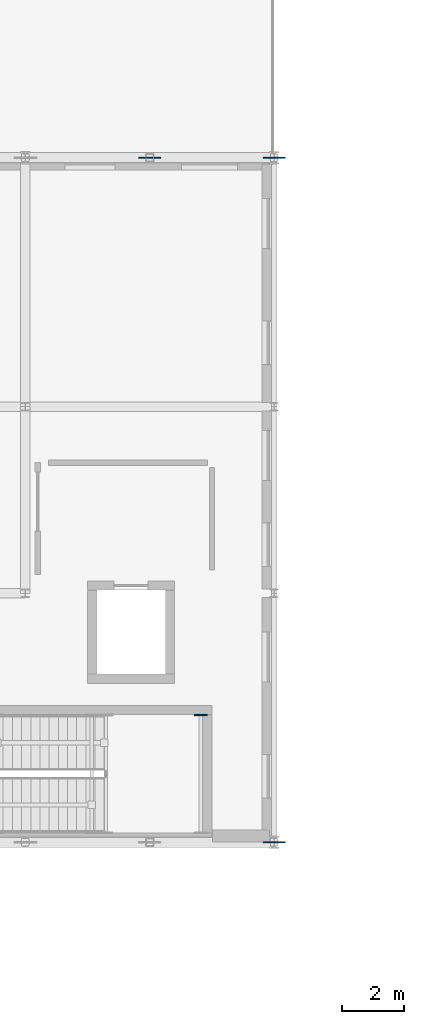
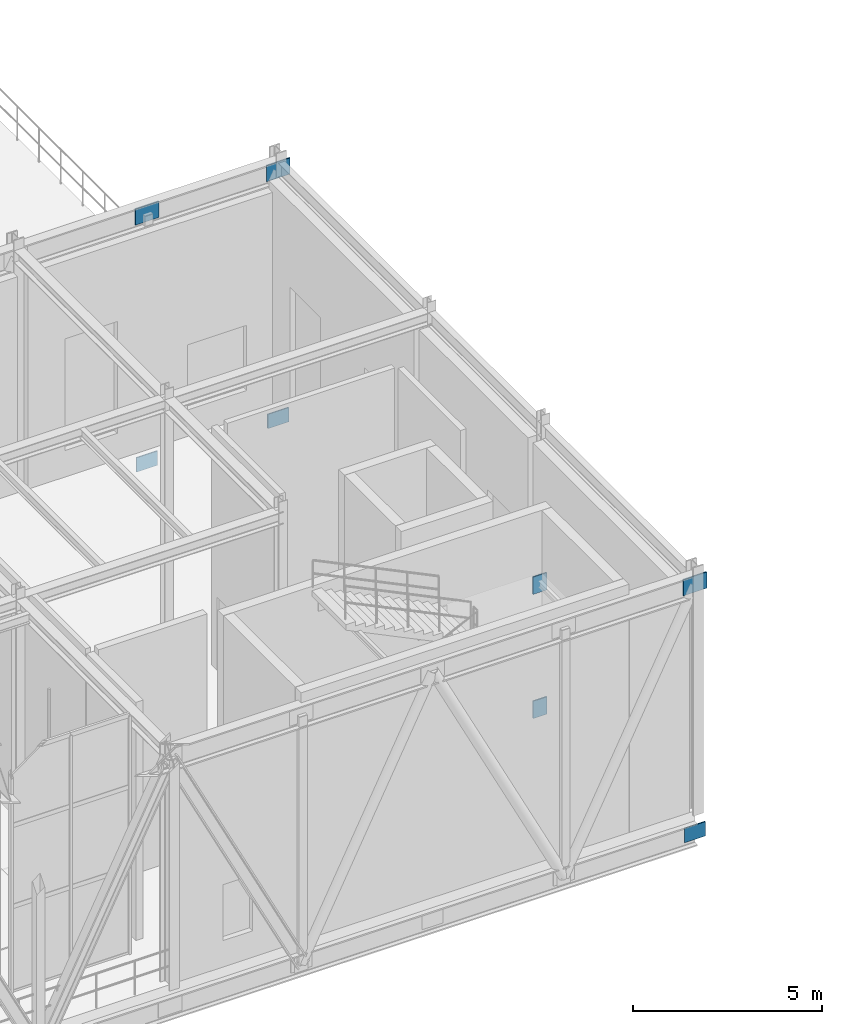
# One storey, part 82 of 138: 8 plates.
"""IFC4 building model written with IfcOpenShell, lengths in metres."""

from ifc_helpers import new_model, si_unit, direction, frame, origin, origin_2d, place, context, subcontext, project, spatial, rectangle, extrude, material, layer, layer_set, type_object, element, save


model = new_model("IFC4")

# Units and contexts
model_context = context("Model", 3, precision=1e-05, world=origin(), true_north=direction((0.0, 1.0)))
body_context = subcontext(model_context, "Body", "Model", "MODEL_VIEW")
ifc_project = project(units=[si_unit("LENGTHUNIT", "METRE"), si_unit("AREAUNIT", "SQUARE_METRE"), si_unit("VOLUMEUNIT", "CUBIC_METRE"), si_unit("PLANEANGLEUNIT", "RADIAN"), si_unit("MASSUNIT", "GRAM", prefix="KILO")], contexts=[model_context])

# Site, building, storey
site_placement = place(None, origin())
site = spatial("IfcSite", under=ifc_project, at=site_placement, CompositionType="ELEMENT")
building_placement = place(site_placement, origin())
building = spatial("IfcBuilding", under=site, at=building_placement, Name="Sundkrona Museum", CompositionType="ELEMENT")
storey_placement = place(building_placement, frame((0.0, 0.0, 9.60009765625)))
storey = spatial("IfcBuildingStorey", under=building, at=storey_placement, Name="L02", CompositionType="ELEMENT", Elevation=9.60009765625)

# Plates
ifc_material_1 = material(Name="Steel S355J2", Category="steel")
ifc_layer_1 = layer(ifc_material_1, 0.034912109375)
ifc_layer_set_1 = layer_set([ifc_layer_1], Name="Steel S355J2")
plate_type_1 = type_object("IfcPlateType", Name="EP-1", PredefinedType="USERDEFINED", material=ifc_layer_set_1)
for number, where, z_axis, x_axis, name in (
    (1, (37.63671875, 36.090087890625, 1.39990234375), (0.0, 0.0, 1.0), (1.0, 0.0, 0.0), "Core Wall Cast-In Embed Plate BM-STLD-ST-4-L02-1B-2"),
    (2, (37.63671875, 36.090087890625, 5.39990234375), (0.0, 0.0, 1.0), (1.0, 0.0, 0.0), "Core Wall Cast-In Embed Plate BM-STLD-ST-4-L02-3B-2"),
):
    element("IfcPlate", number, at=place(storey_placement, frame(where, z_axis=z_axis, x_axis=x_axis)), inside=storey, type_object=plate_type_1, Name=name, ObjectType="GUSSET PLATE", PredefinedType="USERDEFINED", context=body_context, shape_type="SweptSolid", body=[
        extrude(rectangle(XDim=0.419921875, YDim=0.034912109375, at=origin_2d()), origin(), (0.0, 0.0, 1.0), 0.56005859375),
    ])
ifc_material_2 = material(Name="Steel S460M", Category="steel")
ifc_layer_2 = layer(ifc_material_2, 0.0400390625)
ifc_layer_set_2 = layer_set([ifc_layer_2], Name="Steel S460M")
plate_type_2 = type_object("IfcPlateType", Name="GP-1", PredefinedType="USERDEFINED", material=ifc_layer_set_2)
for number, where, z_axis, x_axis, name in (
    (3, (40.0, 32.0, 7.059814453125), (0.0, 0.0, 1.0), (1.0, 0.0, 0.0), "Transfer Truss S Top Node Gusset GP-1"),
    (4, (36.0, 54.0, 7.059814453125), (0.0, 0.0, 1.0), (1.0, 0.0, 0.0), "Transfer Truss N Top Node Gusset GP-1"),
    (5, (40.0, 54.0, 7.059814453125), (0.0, 0.0, 1.0), (1.0, 0.0, 0.0), "Transfer Truss N Top Node Gusset GP-1"),
):
    element("IfcPlate", number, at=place(storey_placement, frame(where, z_axis=z_axis, x_axis=x_axis)), inside=storey, type_object=plate_type_2, Name=name, ObjectType="GUSSET PLATE", PredefinedType="USERDEFINED", context=body_context, shape_type="SweptSolid", body=[
        extrude(rectangle(XDim=0.719970703125, YDim=0.0400390625, at=origin_2d()), origin(), (0.0, 0.0, 1.0), 0.52001953125),
    ])
ifc_layer_3 = layer(ifc_material_2, 0.034912109375)
ifc_layer_set_3 = layer_set([ifc_layer_3], Name="Steel S460M")
plate_type_3 = type_object("IfcPlateType", Name="GP-2", PredefinedType="USERDEFINED", material=ifc_layer_set_3)
for number, where, z_axis, x_axis, name in (
    (6, (40.0, 32.0, -0.91015625), (0.0, 0.0, 1.0), (1.0, 0.0, 0.0), "Transfer Truss S Bottom Node Gusset GP-2"),
    (7, (36.0, 54.0, -0.91015625), (0.0, 0.0, 1.0), (1.0, 0.0, 0.0), "Transfer Truss N Bottom Node Gusset GP-2"),
    (8, (40.0, 54.0, -0.91015625), (0.0, 0.0, 1.0), (1.0, 0.0, 0.0), "Transfer Truss N Bottom Node Gusset GP-2"),
):
    element("IfcPlate", number, at=place(storey_placement, frame(where, z_axis=z_axis, x_axis=x_axis)), inside=storey, type_object=plate_type_3, Name=name, ObjectType="GUSSET PLATE", PredefinedType="USERDEFINED", context=body_context, shape_type="SweptSolid", body=[
        extrude(rectangle(XDim=0.639892578125, YDim=0.034912109375, at=origin_2d()), origin(), (0.0, 0.0, 1.0), 0.4599609375),
    ])

save(model, "model.ifc")
